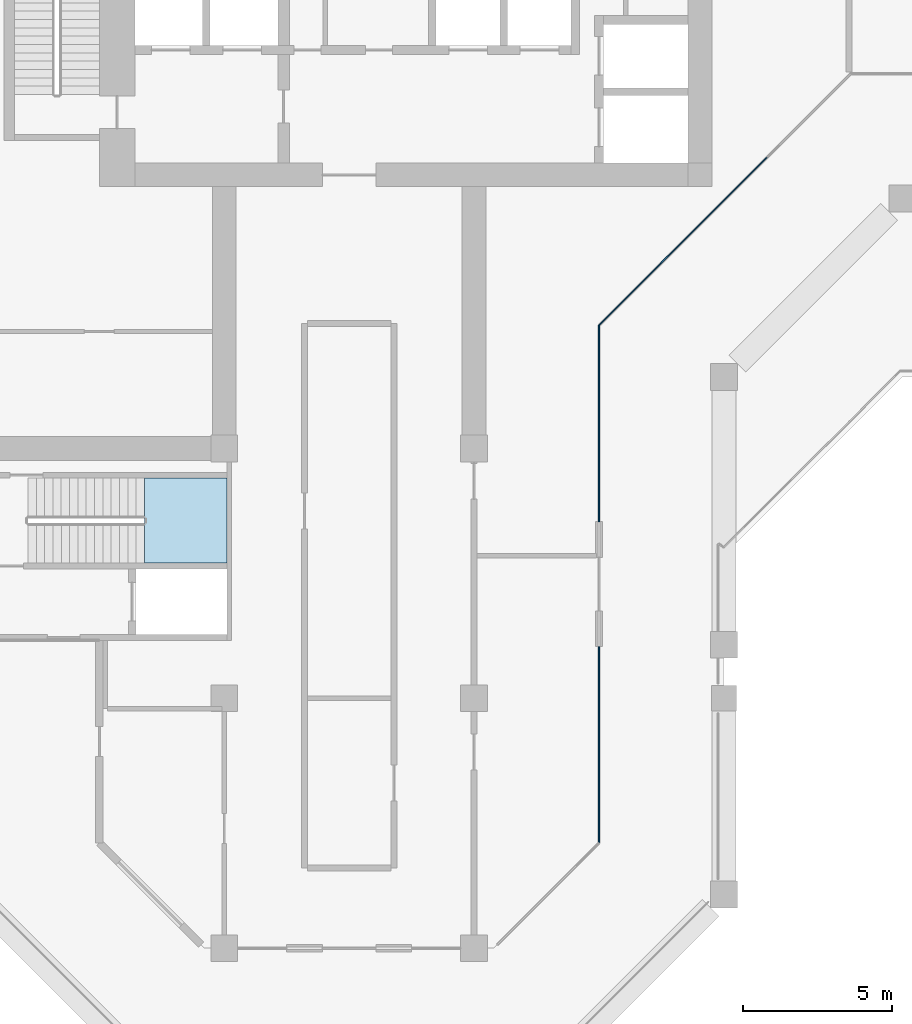
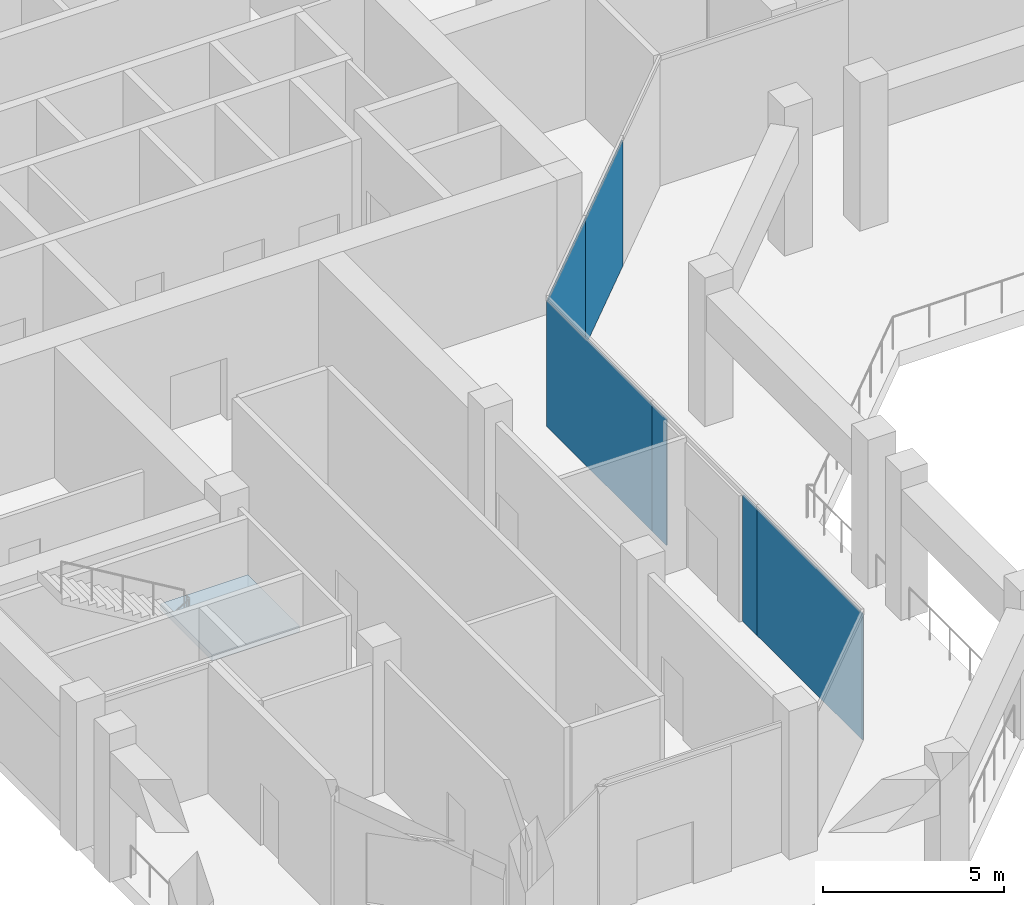
# One storey, part 2 of 14: 6 plates, 1 slab, 3 elements without a shape of their own.
"""IFC4 building model written with IfcOpenShell, lengths in metres."""

from ifc_helpers import new_model, si_unit, direction, frame, origin, origin_2d, place, context, subcontext, project, spatial, polyline, rectangle, outline, extrude, material, layer, layer_set, type_object, element, aggregate, save


model = new_model("IFC4")

# Units and contexts
model_context = context("Model", 3, precision=1e-05, world=origin(), true_north=direction((0.0, 1.0)))
body_context = subcontext(model_context, "Body", "Model", "MODEL_VIEW")
ifc_project = project(units=[si_unit("LENGTHUNIT", "METRE"), si_unit("AREAUNIT", "SQUARE_METRE"), si_unit("VOLUMEUNIT", "CUBIC_METRE"), si_unit("PLANEANGLEUNIT", "RADIAN"), si_unit("MASSUNIT", "GRAM", prefix="KILO")], contexts=[model_context])

# Site, building, storey
site_placement = place(None, origin())
site = spatial("IfcSite", under=ifc_project, at=site_placement, CompositionType="ELEMENT")
building_placement = place(site_placement, origin())
building = spatial("IfcBuilding", under=site, at=building_placement, Name="Kawkab Arch Medical Tower", CompositionType="ELEMENT")
storey_placement = place(building_placement, frame((0.0, 0.0, 213.0)))
storey = spatial("IfcBuildingStorey", under=building, at=storey_placement, Name="L49", CompositionType="ELEMENT", Elevation=213.0)

# Curtain wall, plates
ifc_material_1 = material(Name="Bronze anodised aluminium curtain wall frame", Category="aluminium")
ifc_layer_1 = layer(ifc_material_1, 0.159912109375)
ifc_layer_set_1 = layer_set([ifc_layer_1], Name="Bronze anodised aluminium curtain wall frame")
curtain_wall_type = type_object("IfcCurtainWallType", Name="CW4 refuge floor fire-protected glazing", PredefinedType="NOTDEFINED", material=ifc_layer_set_1)
placement = place(storey_placement, origin())
curtain_wall_1 = element("IfcCurtainWall", 1, at=placement, inside=storey, type_object=curtain_wall_type, Name="CW4 Refuge floor fire-protected glazing R09", PredefinedType="NOTDEFINED")
ifc_material_2 = material(Name="Fire-resisting laminated glass", Category="glass")
ifc_layer_2 = layer(ifc_material_2, 0.0400390625)
ifc_layer_set_2 = layer_set([ifc_layer_2], Name="Fire-resisting laminated glass")
plate_type = type_object("IfcPlateType", Name="CW4 glazing unit 40", PredefinedType="CURTAIN_PANEL", material=ifc_layer_set_2)
plate_1_placement = place(storey_placement, frame((21.0, -43.9599609375, 0.0), z_axis=(0.0, 0.0, 1.0), x_axis=(0.0, 1.0, 0.0)))
plate_1 = element("IfcPlate", 2, at=plate_1_placement, type_object=plate_type, Name="CW4 glazing unit 1.1", PredefinedType="CURTAIN_PANEL", context=body_context, shape_type="SweptSolid", body=[
    extrude(rectangle(XDim=5.800048828125, YDim=0.0400390625, at=origin_2d()), origin(), (0.0, 0.0, 1.0), 4.239990234375),
])
plate_2_placement = place(storey_placement, frame((21.0, -40.659912109375, 0.0), z_axis=(0.0, 0.0, 1.0), x_axis=(0.0, 1.0, 0.0)))
plate_2 = element("IfcPlate", 3, at=plate_2_placement, type_object=plate_type, Name="CW4 glazing unit 2.1", PredefinedType="CURTAIN_PANEL", context=body_context, shape_type="SweptSolid", body=[
    extrude(rectangle(XDim=0.800048828125, YDim=0.0400390625, at=origin_2d()), origin(), (0.0, 0.0, 1.0), 4.239990234375),
])
plate_3_placement = place(storey_placement, frame((21.0, -35.659912109375, 0.0), z_axis=(0.0, 0.0, 1.0), x_axis=(0.0, 1.0, 0.0)))
plate_3 = element("IfcPlate", 4, at=plate_3_placement, type_object=plate_type, Name="CW4 glazing unit 2.3", PredefinedType="CURTAIN_PANEL", context=body_context, shape_type="SweptSolid", body=[
    extrude(rectangle(XDim=0.800048828125, YDim=0.0400390625, at=origin_2d()), origin(), (0.0, 0.0, 1.0), 4.239990234375),
])
plate_4_placement = place(storey_placement, frame((21.0, -32.360107421875, 0.0), z_axis=(0.0, 0.0, 1.0), x_axis=(0.0, 1.0, 0.0)))
plate_4 = element("IfcPlate", 5, at=plate_4_placement, type_object=plate_type, Name="CW4 glazing unit 3.1", PredefinedType="CURTAIN_PANEL", context=body_context, shape_type="SweptSolid", body=[
    extrude(rectangle(XDim=5.800048828125, YDim=0.0400390625, at=origin_2d()), origin(), (0.0, 0.0, 1.0), 4.239990234375),
])
aggregate(curtain_wall_1, [plate_1, plate_2, plate_3, plate_4])

curtain_wall_2 = element("IfcCurtainWall", 6, at=placement, inside=storey, type_object=curtain_wall_type, Name="CW4 Refuge floor fire-protected glazing R10", PredefinedType="NOTDEFINED")
plate_5_placement = place(storey_placement, frame((22.409912109375, -28.050048828125, 0.0), z_axis=(0.0, 0.0, 1.0), x_axis=(0.707106781187, 0.707106781187, 0.0)))
plate_5 = element("IfcPlate", 7, at=plate_5_placement, type_object=plate_type, Name="CW4 glazing unit 1.1", PredefinedType="CURTAIN_PANEL", context=body_context, shape_type="SweptSolid", body=[
    extrude(rectangle(XDim=3.988037109375, YDim=0.0400390625, at=origin_2d()), origin(), (0.0, 0.0, 1.0), 4.239990234375),
])
plate_6_placement = place(storey_placement, frame((25.22998046875, -25.22998046875, 0.0), z_axis=(0.0, 0.0, 1.0), x_axis=(0.707106781187, 0.707106781187, 0.0)))
plate_6 = element("IfcPlate", 8, at=plate_6_placement, type_object=plate_type, Name="CW4 glazing unit 2.1", PredefinedType="CURTAIN_PANEL", context=body_context, shape_type="SweptSolid", body=[
    extrude(rectangle(XDim=3.988037109375, YDim=0.0400390625, at=origin_2d()), origin(), (0.0, 0.0, 1.0), 4.239990234375),
])
aggregate(curtain_wall_2, [plate_5, plate_6])

# Stair, slab
ifc_material_3 = material(Name="Concrete C40/50", Category="concrete")
stair_type = type_object("IfcStairType", Name="Exit stair 1350", PredefinedType="HALF_TURN_STAIR", material=ifc_material_3)
stair = element("IfcStair", 9, at=placement, inside=storey, type_object=stair_type, Name="L49 Exit stair ST6", PredefinedType="HALF_TURN_STAIR")
ifc_material_4 = material(Name="Concrete C40/50", Category="concrete")
ifc_layer_3 = layer(ifc_material_4, 0.199951171875)
ifc_layer_set_3 = layer_set([ifc_layer_3], Name="Concrete C40/50")
slab_type = type_object("IfcSlabType", Name="Exit stair landing 200", PredefinedType="LANDING", material=ifc_layer_set_3)
slab_placement = place(storey_placement, frame((0.0, 0.0, 2.300048828125)))
slab = element("IfcSlab", 10, at=slab_placement, type_object=slab_type, Name="ST6 landing 1", PredefinedType="LANDING", context=body_context, shape_type="SweptSolid", body=[
    extrude(outline(polyline([(5.719970703125, -37.449951171875), (8.5, -37.449951171875), (8.5, -34.60009765625), (5.719970703125, -34.60009765625), (5.719970703125, -37.449951171875)])), origin(), (0.0, 0.0, 1.0), 0.199951171875),
])
aggregate(stair, [slab])

save(model, "model.ifc")
